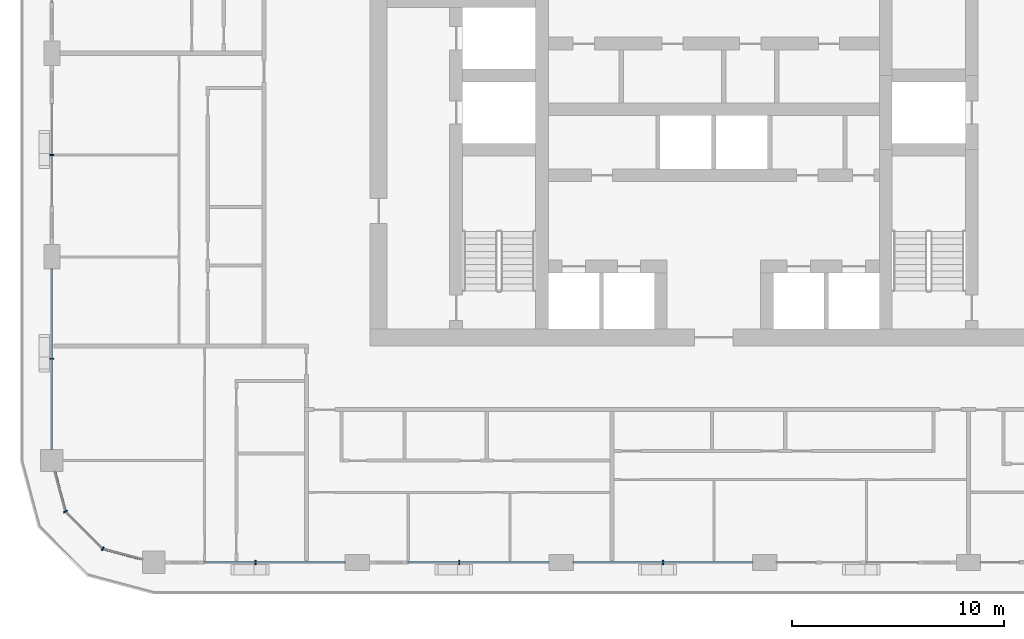
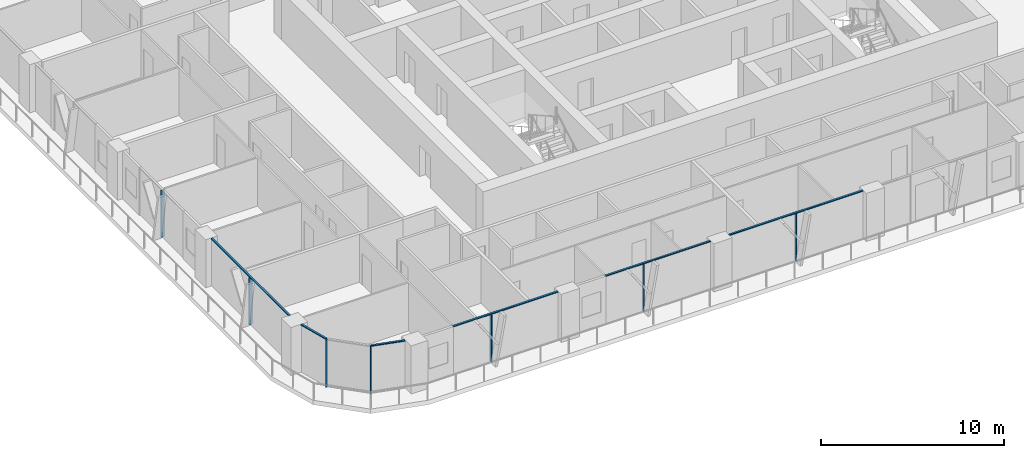
# One storey, part 2 of 22: 13 members, 6 elements without a shape of their own.
"""IFC4 building model written with IfcOpenShell, lengths in metres."""

from ifc_helpers import new_model, si_unit, direction, frame, origin, origin_2d, place, context, subcontext, project, spatial, rectangle, extrude, material, layer, layer_set, material_profile, profile_set, type_object, element, aggregate, save


model = new_model("IFC4")

# Units and contexts
model_context = context("Model", 3, precision=1e-05, world=origin(), true_north=direction((0.0, 1.0)))
body_context = subcontext(model_context, "Body", "Model", "MODEL_VIEW")
ifc_project = project(units=[si_unit("LENGTHUNIT", "METRE"), si_unit("AREAUNIT", "SQUARE_METRE"), si_unit("VOLUMEUNIT", "CUBIC_METRE"), si_unit("PLANEANGLEUNIT", "RADIAN"), si_unit("MASSUNIT", "GRAM", prefix="KILO")], contexts=[model_context])

# Site, building, storey
site_placement = place(None, origin())
site = spatial("IfcSite", under=ifc_project, at=site_placement, CompositionType="ELEMENT")
building_placement = place(site_placement, origin())
building = spatial("IfcBuilding", under=site, at=building_placement, Name="Madar Terraces", CompositionType="ELEMENT")
storey_placement = place(building_placement, frame((0.0, 0.0, 126.10009765625)))
storey = spatial("IfcBuildingStorey", under=building, at=storey_placement, Name="L32", CompositionType="ELEMENT", Elevation=126.10009765625)

# Curtain wall, member
ifc_material_1 = material(Name="Glass, ceramic frit dark grey, with black aluminium frame", Category="aluminium")
ifc_layer = layer(ifc_material_1, 0.199951171875)
ifc_layer_set = layer_set([ifc_layer], Name="Facade curtain wall, fritted glass")
curtain_wall_type = type_object("IfcCurtainWallType", Name="Facade curtain wall, fritted glass", PredefinedType="NOTDEFINED", material=ifc_layer_set)
curtain_wall_1_placement = place(storey_placement, origin())
curtain_wall_1 = element("IfcCurtainWall", 1, at=curtain_wall_1_placement, inside=storey, type_object=curtain_wall_type, Name="Outer skin curtain wall south bay 1", PredefinedType="NOTDEFINED")
ifc_material_2 = material(Name="Aluminium, black anodised", Category="aluminium")
ifc_material_profile_1 = material_profile(ifc_material_2, rectangle(XDim=0.199951171875, YDim=0.06005859375, at=origin_2d()), Name="Facade mullion 60x200")
ifc_profile_set_1 = profile_set([ifc_material_profile_1], Name="Aluminium, black anodised")
member_type_1 = type_object("IfcMemberType", Name="Facade mullion 60x200", PredefinedType="MULLION", material=ifc_profile_set_1)
member_1_placement = place(storey_placement, frame((9.60009765625, 4.800048828125, 0.0), z_axis=(0.0, 0.0, 1.0), x_axis=(0.0, 1.0, 0.0)))
member_1 = element("IfcMember", 2, at=member_1_placement, type_object=member_type_1, Name="Mullion 1", PredefinedType="MULLION", context=body_context, shape_type="SweptSolid", body=[
    extrude(rectangle(XDim=0.199951171875, YDim=0.06005859375, at=origin_2d()), origin(), (0.0, 0.0, 1.0), 3.139892578125),
])

curtain_wall_2_placement = place(storey_placement, origin())
curtain_wall_2 = element("IfcCurtainWall", 3, at=curtain_wall_2_placement, inside=storey, type_object=curtain_wall_type, Name="Outer skin curtain wall south bay 2", PredefinedType="NOTDEFINED")
member_2_placement = place(storey_placement, frame((19.199951171875, 4.800048828125, 0.0), z_axis=(0.0, 0.0, 1.0), x_axis=(0.0, 1.0, 0.0)))
member_2 = element("IfcMember", 4, at=member_2_placement, type_object=member_type_1, Name="Mullion 1", PredefinedType="MULLION", context=body_context, shape_type="SweptSolid", body=[
    extrude(rectangle(XDim=0.199951171875, YDim=0.06005859375, at=origin_2d()), origin(), (0.0, 0.0, 1.0), 3.139892578125),
])

curtain_wall_3_placement = place(storey_placement, origin())
curtain_wall_3 = element("IfcCurtainWall", 5, at=curtain_wall_3_placement, inside=storey, type_object=curtain_wall_type, Name="Outer skin curtain wall south bay 3", PredefinedType="NOTDEFINED")
member_3_placement = place(storey_placement, frame((28.800048828125, 4.800048828125, 0.0), z_axis=(0.0, 0.0, 1.0), x_axis=(0.0, 1.0, 0.0)))
member_3 = element("IfcMember", 6, at=member_3_placement, type_object=member_type_1, Name="Mullion 1", PredefinedType="MULLION", context=body_context, shape_type="SweptSolid", body=[
    extrude(rectangle(XDim=0.199951171875, YDim=0.06005859375, at=origin_2d()), origin(), (0.0, 0.0, 1.0), 3.139892578125),
])

curtain_wall_4_placement = place(storey_placement, origin())
curtain_wall_4 = element("IfcCurtainWall", 7, at=curtain_wall_4_placement, inside=storey, type_object=curtain_wall_type, Name="Outer skin curtain wall west bay 3", PredefinedType="NOTDEFINED")
member_4_placement = place(storey_placement, frame((0.0, 24.0, 0.0), z_axis=(0.0, 0.0, 1.0), x_axis=(1.0, 0.0, 0.0)))
member_4 = element("IfcMember", 8, at=member_4_placement, type_object=member_type_1, Name="Mullion 1", PredefinedType="MULLION", context=body_context, shape_type="SweptSolid", body=[
    extrude(rectangle(XDim=0.199951171875, YDim=0.06005859375, at=origin_2d()), origin(), (0.0, 0.0, 1.0), 3.139892578125),
])
aggregate(curtain_wall_4, [member_4])

curtain_wall_5_placement = place(storey_placement, origin())
curtain_wall_5 = element("IfcCurtainWall", 9, at=curtain_wall_5_placement, inside=storey, type_object=curtain_wall_type, Name="Outer skin curtain wall west bay 4", PredefinedType="NOTDEFINED")
member_5_placement = place(storey_placement, frame((0.0, 14.39990234375, 0.0), z_axis=(0.0, 0.0, 1.0), x_axis=(1.0, 0.0, 0.0)))
member_5 = element("IfcMember", 10, at=member_5_placement, type_object=member_type_1, Name="Mullion 1", PredefinedType="MULLION", context=body_context, shape_type="SweptSolid", body=[
    extrude(rectangle(XDim=0.199951171875, YDim=0.06005859375, at=origin_2d()), origin(), (0.0, 0.0, 1.0), 3.139892578125),
])

# Curtain wall, members
curtain_wall_6_placement = place(storey_placement, origin())
curtain_wall_6 = element("IfcCurtainWall", 11, at=curtain_wall_6_placement, inside=storey, type_object=curtain_wall_type, Name="Outer skin curtain wall south-west corner", PredefinedType="NOTDEFINED")
member_6_placement = place(storey_placement, frame((0.64306640625, 7.199951171875, 0.0), z_axis=(0.0, 0.0, 1.0), x_axis=(0.866025409797, 0.499999989586, 0.0)))
member_6 = element("IfcMember", 12, at=member_6_placement, type_object=member_type_1, Name="Mullion 1", PredefinedType="MULLION", context=body_context, shape_type="SweptSolid", body=[
    extrude(rectangle(XDim=0.199951171875, YDim=0.06005859375, at=origin_2d()), origin(), (0.0, 0.0, 1.0), 3.139892578125),
])
member_7_placement = place(storey_placement, frame((2.39990234375, 5.443115234375, 0.0), z_axis=(0.0, 0.0, 1.0), x_axis=(0.499999989586, 0.866025409797, 0.0)))
member_7 = element("IfcMember", 13, at=member_7_placement, type_object=member_type_1, Name="Mullion 2", PredefinedType="MULLION", context=body_context, shape_type="SweptSolid", body=[
    extrude(rectangle(XDim=0.199951171875, YDim=0.06005859375, at=origin_2d()), origin(), (0.0, 0.0, 1.0), 3.139892578125),
])

# Member
ifc_material_3 = material(Name="Aluminium, black anodised", Category="aluminium")
ifc_material_profile_2 = material_profile(ifc_material_3, rectangle(XDim=0.1201171875, YDim=0.06005859375, at=origin_2d()), Name="Facade transom 60x120")
ifc_profile_set_2 = profile_set([ifc_material_profile_2], Name="Aluminium, black anodised")
member_type_2 = type_object("IfcMemberType", Name="Facade transom 60x120", PredefinedType="USERDEFINED", material=ifc_profile_set_2)
member_8_placement = place(storey_placement, frame((7.199951171875, 4.800048828125, 3.169921875), z_axis=(1.0, 0.0, 0.0), x_axis=(0.0, 1.0, 0.0)))
member_8 = element("IfcMember", 14, at=member_8_placement, type_object=member_type_2, Name="Transom 1", ObjectType="TRANSOM", PredefinedType="USERDEFINED", context=body_context, shape_type="SweptSolid", body=[
    extrude(rectangle(XDim=0.1201171875, YDim=0.06005859375, at=origin_2d()), origin(), (0.0, 0.0, 1.0), 6.625),
])

aggregate(curtain_wall_1, [member_1, member_8])

member_9_placement = place(storey_placement, frame((16.800048828125, 4.800048828125, 3.169921875), z_axis=(1.0, 0.0, 0.0), x_axis=(0.0, 1.0, 0.0)))
member_9 = element("IfcMember", 15, at=member_9_placement, type_object=member_type_2, Name="Transom 1", ObjectType="TRANSOM", PredefinedType="USERDEFINED", context=body_context, shape_type="SweptSolid", body=[
    extrude(rectangle(XDim=0.1201171875, YDim=0.06005859375, at=origin_2d()), origin(), (0.0, 0.0, 1.0), 6.625),
])

aggregate(curtain_wall_2, [member_2, member_9])

member_10_placement = place(storey_placement, frame((24.574951171875, 4.800048828125, 3.169921875), z_axis=(1.0, 0.0, 0.0), x_axis=(0.0, 1.0, 0.0)))
member_10 = element("IfcMember", 16, at=member_10_placement, type_object=member_type_2, Name="Transom 1", ObjectType="TRANSOM", PredefinedType="USERDEFINED", context=body_context, shape_type="SweptSolid", body=[
    extrude(rectangle(XDim=0.1201171875, YDim=0.06005859375, at=origin_2d()), origin(), (0.0, 0.0, 1.0), 8.449951171875),
])

aggregate(curtain_wall_3, [member_3, member_10])

member_11_placement = place(storey_placement, frame((0.0, 18.625, 3.169921875), z_axis=(0.0, -1.0, 0.0), x_axis=(1.0, 0.0, 0.0)))
member_11 = element("IfcMember", 17, at=member_11_placement, type_object=member_type_2, Name="Transom 1", ObjectType="TRANSOM", PredefinedType="USERDEFINED", context=body_context, shape_type="SweptSolid", body=[
    extrude(rectangle(XDim=0.1201171875, YDim=0.06005859375, at=origin_2d()), origin(), (0.0, 0.0, 1.0), 8.5),
])

aggregate(curtain_wall_5, [member_5, member_11])

member_12_placement = place(storey_placement, frame((0.140625, 9.074951171875, 3.169921875), z_axis=(0.258823354654, -0.965924671538, 0.0), x_axis=(0.965924671538, 0.258823354654, 0.0)))
member_12 = element("IfcMember", 18, at=member_12_placement, type_object=member_type_2, Name="Transom 1", ObjectType="TRANSOM", PredefinedType="USERDEFINED", context=body_context, shape_type="SweptSolid", body=[
    extrude(rectangle(XDim=0.1201171875, YDim=0.06005859375, at=origin_2d()), origin(), (0.0, 0.0, 1.0), 1.9111328125),
])

member_13_placement = place(storey_placement, frame((2.428955078125, 5.435302734375, 3.169921875), z_axis=(0.965924671538, -0.258823354654, 0.0), x_axis=(0.258823354654, 0.965924671538, 0.0)))
member_13 = element("IfcMember", 19, at=member_13_placement, type_object=member_type_2, Name="Transom 3", ObjectType="TRANSOM", PredefinedType="USERDEFINED", context=body_context, shape_type="SweptSolid", body=[
    extrude(rectangle(XDim=0.1201171875, YDim=0.06005859375, at=origin_2d()), origin(), (0.0, 0.0, 1.0), 1.9111328125),
])

aggregate(curtain_wall_6, [member_6, member_12, member_7, member_13])

save(model, "model.ifc")
